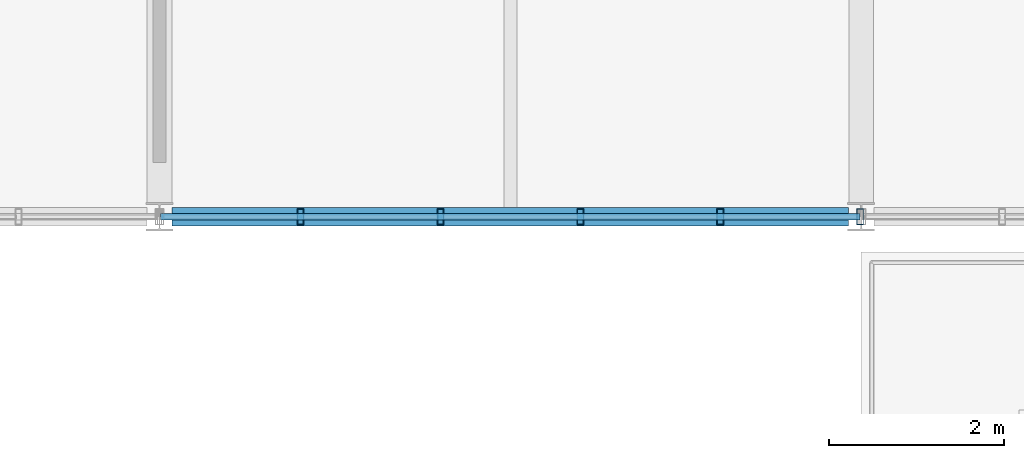
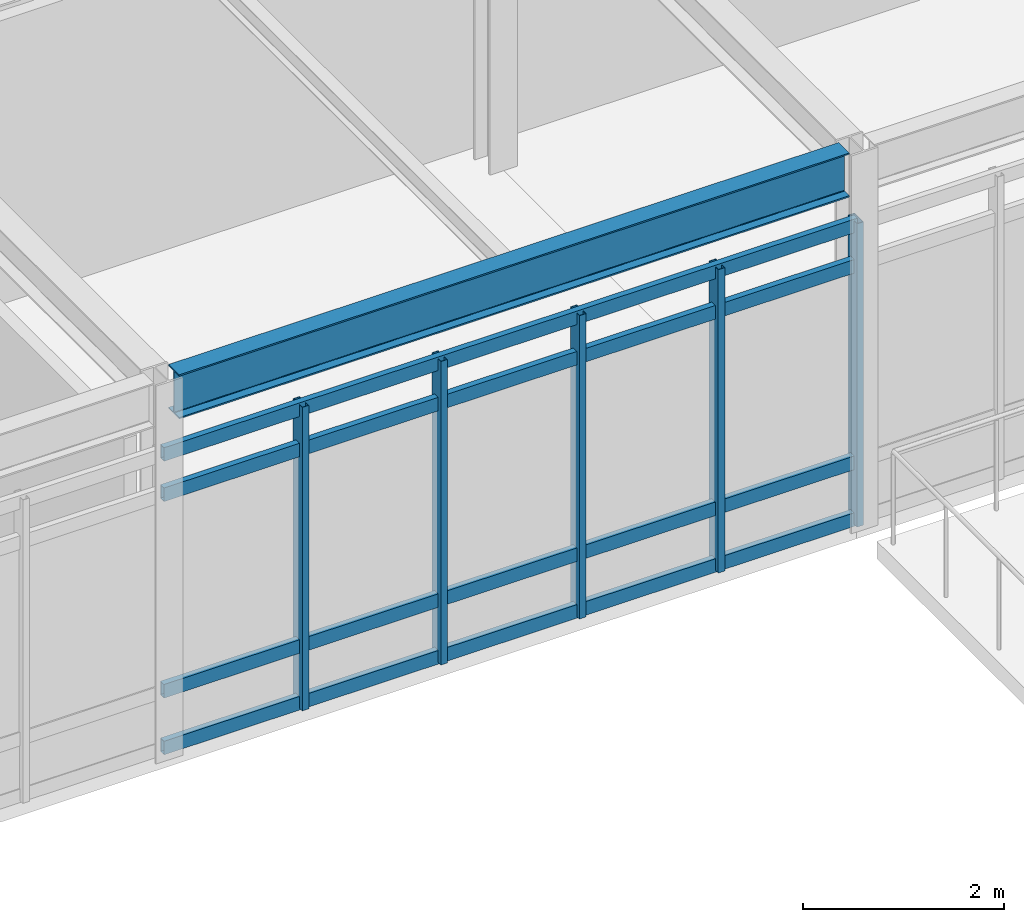
# One storey, part 34 of 100: 9 members, 1 beam, 1 element without a shape of its own.
"""IFC4 building model written with IfcOpenShell, lengths in metres."""

from ifc_helpers import new_model, si_unit, direction, frame, origin, origin_2d, place, context, subcontext, project, spatial, hollow_rectangle, i_section, extrude, material, material_profile, profile_set, type_object, element, aggregate, save


model = new_model("IFC4")

# Units and contexts
model_context = context("Model", 3, precision=1e-05, world=origin(), true_north=direction((0.0, 1.0)))
body_context = subcontext(model_context, "Body", "Model", "MODEL_VIEW")
ifc_project = project(units=[si_unit("LENGTHUNIT", "METRE"), si_unit("AREAUNIT", "SQUARE_METRE"), si_unit("VOLUMEUNIT", "CUBIC_METRE"), si_unit("PLANEANGLEUNIT", "RADIAN"), si_unit("MASSUNIT", "GRAM", prefix="KILO")], contexts=[model_context])

# Site, building, storey
site_placement = place(None, origin())
site = spatial("IfcSite", under=ifc_project, at=site_placement, CompositionType="ELEMENT")
building_placement = place(site_placement, origin())
building = spatial("IfcBuilding", under=site, at=building_placement, Name="Zulena Civic Courthouse", CompositionType="ELEMENT")
storey_placement = place(building_placement, frame((0.0, 0.0, 20.39990234375)))
storey = spatial("IfcBuildingStorey", under=building, at=storey_placement, Name="L04", CompositionType="ELEMENT", Elevation=20.39990234375)

# Curtain wall, members
ifc_material_1 = material(Name="Double-silver low-E laminated solar-control glass", Category="glass")
curtain_wall_type = type_object("IfcCurtainWallType", Name="CW_7976x3690", PredefinedType="USERDEFINED", material=ifc_material_1)
curtain_wall_placement = place(storey_placement, origin())
curtain_wall = element("IfcCurtainWall", 1, at=curtain_wall_placement, inside=storey, type_object=curtain_wall_type, Name="cw:V5:L04:5:5", ObjectType="UNITISED CURTAIN WALL", PredefinedType="USERDEFINED")
ifc_material_2 = material(Name="Bronze anodised thermally broken aluminium AA6063-T6", Category="aluminium")
ifc_material_profile_1 = material_profile(ifc_material_2, hollow_rectangle(XDim=0.074951171875, YDim=0.179931640625, WallThickness=0.0048828125, at=origin_2d()), Name="CWM180X75X5")
ifc_profile_set_1 = profile_set([ifc_material_profile_1], Name="Bronze anodised thermally broken aluminium AA6063-T6")
member_type_1 = type_object("IfcMemberType", Name="CWMullion_180x75", PredefinedType="MULLION", material=ifc_profile_set_1)
member_1_placement = place(storey_placement, frame((67.988037109375, 46.0, 0.0), z_axis=(0.0, 0.0, 1.0), x_axis=(1.0, 0.0, 0.0)))
member_1 = element("IfcMember", 2, at=member_1_placement, type_object=member_type_1, Name="cw:V5:L04:5:5:mull:0", PredefinedType="MULLION", context=body_context, shape_type="SweptSolid", body=[
    extrude(hollow_rectangle(XDim=0.074951171875, YDim=0.179931640625, WallThickness=0.0048828125, at=origin_2d()), origin(), (0.0, 0.0, 1.0), 3.690185546875),
])
member_2_placement = place(storey_placement, frame((66.392822265625, 46.0, 0.0), z_axis=(0.0, 0.0, 1.0), x_axis=(1.0, 0.0, 0.0)))
member_2 = element("IfcMember", 3, at=member_2_placement, type_object=member_type_1, Name="cw:V5:L04:5:5:mull:1", PredefinedType="MULLION", context=body_context, shape_type="SweptSolid", body=[
    extrude(hollow_rectangle(XDim=0.074951171875, YDim=0.179931640625, WallThickness=0.0048828125, at=origin_2d()), origin(), (0.0, 0.0, 1.0), 3.690185546875),
])
member_3_placement = place(storey_placement, frame((64.797607421875, 46.0, 0.0), z_axis=(0.0, 0.0, 1.0), x_axis=(1.0, 0.0, 0.0)))
member_3 = element("IfcMember", 4, at=member_3_placement, type_object=member_type_1, Name="cw:V5:L04:5:5:mull:2", PredefinedType="MULLION", context=body_context, shape_type="SweptSolid", body=[
    extrude(hollow_rectangle(XDim=0.074951171875, YDim=0.179931640625, WallThickness=0.0048828125, at=origin_2d()), origin(), (0.0, 0.0, 1.0), 3.690185546875),
])
member_4_placement = place(storey_placement, frame((63.202392578125, 46.0, 0.0), z_axis=(0.0, 0.0, 1.0), x_axis=(1.0, 0.0, 0.0)))
member_4 = element("IfcMember", 5, at=member_4_placement, type_object=member_type_1, Name="cw:V5:L04:5:5:mull:3", PredefinedType="MULLION", context=body_context, shape_type="SweptSolid", body=[
    extrude(hollow_rectangle(XDim=0.074951171875, YDim=0.179931640625, WallThickness=0.0048828125, at=origin_2d()), origin(), (0.0, 0.0, 1.0), 3.690185546875),
])
member_5_placement = place(storey_placement, frame((61.607177734375, 46.0, 0.0), z_axis=(0.0, 0.0, 1.0), x_axis=(1.0, 0.0, 0.0)))
member_5 = element("IfcMember", 6, at=member_5_placement, type_object=member_type_1, Name="cw:V5:L04:5:5:mull:4", PredefinedType="MULLION", context=body_context, shape_type="SweptSolid", body=[
    extrude(hollow_rectangle(XDim=0.074951171875, YDim=0.179931640625, WallThickness=0.0048828125, at=origin_2d()), origin(), (0.0, 0.0, 1.0), 3.690185546875),
])
ifc_material_profile_2 = material_profile(ifc_material_2, hollow_rectangle(XDim=0.070068359375, YDim=0.1650390625, WallThickness=0.00390625, at=origin_2d()), Name="CWT165X70X4")
ifc_profile_set_2 = profile_set([ifc_material_profile_2], Name="Bronze anodised thermally broken aluminium AA6063-T6")
member_type_2 = type_object("IfcMemberType", Name="CWTransom_165x70", PredefinedType="USERDEFINED", material=ifc_profile_set_2)
member_6_placement = place(storey_placement, frame((67.988037109375, 46.0, 0.06005859375), z_axis=(-1.0, 0.0, 0.0), x_axis=(0.0, -1.0, 0.0)))
member_6 = element("IfcMember", 7, at=member_6_placement, type_object=member_type_2, Name="cw:V5:L04:5:5:tran:0", ObjectType="TRANSOM", PredefinedType="USERDEFINED", context=body_context, shape_type="SweptSolid", body=[
    extrude(hollow_rectangle(XDim=0.070068359375, YDim=0.1650390625, WallThickness=0.00390625, at=origin_2d()), origin(), (0.0, 0.0, 1.0), 7.97607421875),
])
member_7_placement = place(storey_placement, frame((67.988037109375, 46.0, 0.75), z_axis=(-1.0, 0.0, 0.0), x_axis=(0.0, -1.0, 0.0)))
member_7 = element("IfcMember", 8, at=member_7_placement, type_object=member_type_2, Name="cw:V5:L04:5:5:tran:1", ObjectType="TRANSOM", PredefinedType="USERDEFINED", context=body_context, shape_type="SweptSolid", body=[
    extrude(hollow_rectangle(XDim=0.070068359375, YDim=0.1650390625, WallThickness=0.00390625, at=origin_2d()), origin(), (0.0, 0.0, 1.0), 7.97607421875),
])
member_8_placement = place(storey_placement, frame((67.988037109375, 46.0, 3.14013671875), z_axis=(-1.0, 0.0, 0.0), x_axis=(0.0, -1.0, 0.0)))
member_8 = element("IfcMember", 9, at=member_8_placement, type_object=member_type_2, Name="cw:V5:L04:5:5:tran:2", ObjectType="TRANSOM", PredefinedType="USERDEFINED", context=body_context, shape_type="SweptSolid", body=[
    extrude(hollow_rectangle(XDim=0.070068359375, YDim=0.1650390625, WallThickness=0.00390625, at=origin_2d()), origin(), (0.0, 0.0, 1.0), 7.97607421875),
])
member_9_placement = place(storey_placement, frame((67.988037109375, 46.0, 3.630126953125), z_axis=(-1.0, 0.0, 0.0), x_axis=(0.0, -1.0, 0.0)))
member_9 = element("IfcMember", 10, at=member_9_placement, type_object=member_type_2, Name="cw:V5:L04:5:5:tran:3", ObjectType="TRANSOM", PredefinedType="USERDEFINED", context=body_context, shape_type="SweptSolid", body=[
    extrude(hollow_rectangle(XDim=0.070068359375, YDim=0.1650390625, WallThickness=0.00390625, at=origin_2d()), origin(), (0.0, 0.0, 1.0), 7.97607421875),
])
aggregate(curtain_wall, [member_1, member_2, member_3, member_4, member_5, member_6, member_7, member_8, member_9])

# Beam
ifc_material_3 = material(Name="Steel ASTM A992 Grade 50", Category="steel")
ifc_material_profile_3 = material_profile(ifc_material_3, i_section(OverallWidth=0.2099609375, OverallDepth=0.537109375, WebThickness=0.010986328125, FlangeThickness=0.017333984375, FilletRadius=0.0126953125, at=origin_2d()), Name="W21X68")
ifc_profile_set_3 = profile_set([ifc_material_profile_3], Name="Steel ASTM A992 Grade 50")
beam_type = type_object("IfcBeamType", Name="Spandrel_W21X68", PredefinedType="SPANDREL", material=ifc_profile_set_3)
beam_placement = place(storey_placement, frame((60.14501953125, 46.0, 4.32666015625), z_axis=(1.0, 0.0, 0.0), x_axis=(0.0, 1.0, 0.0)))
element("IfcBeam", 11, at=beam_placement, inside=storey, type_object=beam_type, Name="beam:X:V5:L04:46.0:60.0_68.0", PredefinedType="SPANDREL", context=body_context, shape_type="SweptSolid", body=[
    extrude(i_section(OverallWidth=0.2099609375, OverallDepth=0.537109375, WebThickness=0.010986328125, FlangeThickness=0.017333984375, FilletRadius=0.0126953125, at=origin_2d()), origin(), (0.0, 0.0, 1.0), 7.7099609375),
])

save(model, "model.ifc")
